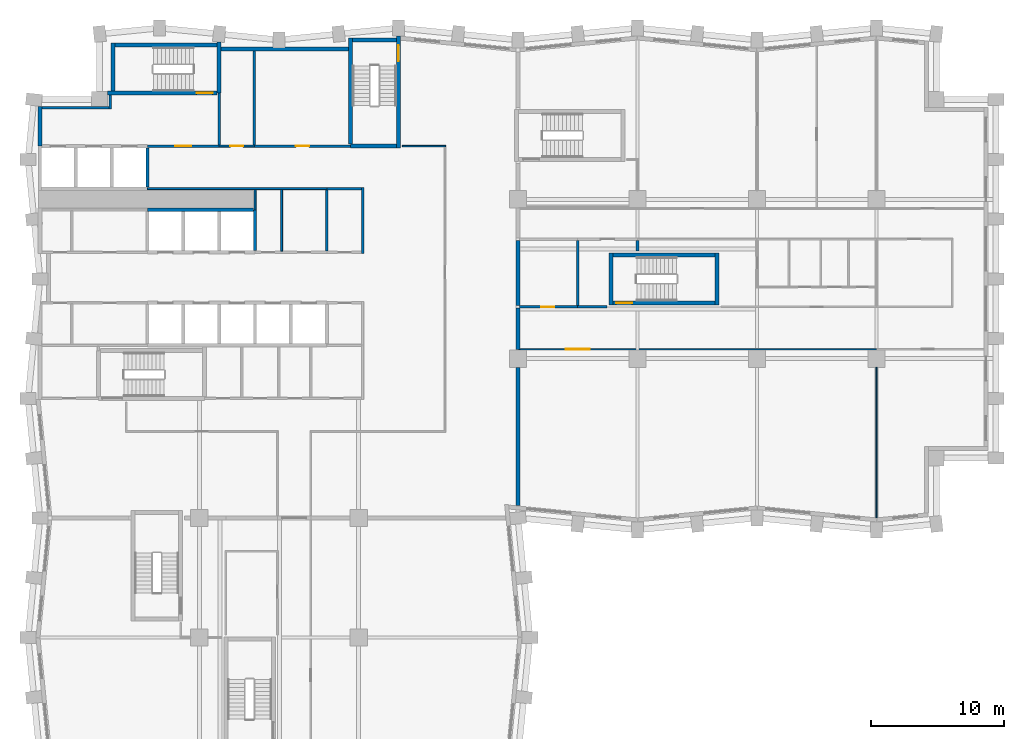
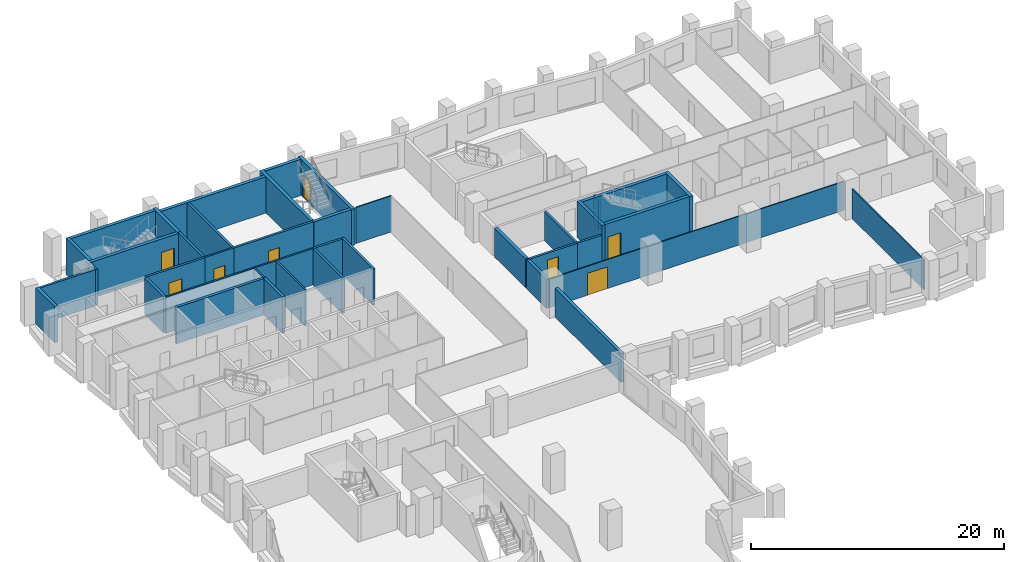
# One storey, part 6 of 11: 40 walls, 8 doors, 8 openings.
"""IFC4 building model written with IfcOpenShell, lengths in metres."""

from ifc_helpers import new_model, si_unit, direction, frame, frame_2d, origin, place, context, subcontext, project, spatial, rectangle, extrude, material, layer, layer_set, type_object, element, fill, save


model = new_model("IFC4")

# Units and contexts
model_context = context("Model", 3, precision=1e-05, world=origin(), true_north=direction((0.0, 1.0)))
body_context = subcontext(model_context, "Body", "Model", "MODEL_VIEW")
ifc_project = project(units=[si_unit("LENGTHUNIT", "METRE"), si_unit("AREAUNIT", "SQUARE_METRE"), si_unit("VOLUMEUNIT", "CUBIC_METRE"), si_unit("PLANEANGLEUNIT", "RADIAN"), si_unit("MASSUNIT", "GRAM", prefix="KILO")], contexts=[model_context])

# Site, building, storey
site_placement = place(None, origin())
site = spatial("IfcSite", under=ifc_project, at=site_placement, CompositionType="ELEMENT")
building_placement = place(site_placement, origin())
building = spatial("IfcBuilding", under=site, at=building_placement, Name="Brondeck Convention Tower", CompositionType="ELEMENT")
storey_placement = place(building_placement, frame((0.0, 0.0, 118.89990234375)))
storey = spatial("IfcBuildingStorey", under=building, at=storey_placement, Name="L28", CompositionType="ELEMENT", Elevation=118.89990234375)

# Walls
ifc_material_1 = material(Name="Concrete compartment wall C30/37", Category="concrete")
ifc_layer_1 = layer(ifc_material_1, 0.300048828125)
ifc_layer_set_1 = layer_set([ifc_layer_1], Name="Compartment wall 300")
wall_type_1 = type_object("IfcWallType", Name="Compartment wall 300", PredefinedType="PARTITIONING", material=ifc_layer_set_1)
wall_1_placement = place(storey_placement, frame((36.0, 27.924560546875, 0.0), z_axis=(0.0, 0.0, 1.0), x_axis=(0.0, 1.0, 0.0)))
element("IfcWall", 1, at=wall_1_placement, inside=storey, type_object=wall_type_1, Name="FLR-L28-W019", PredefinedType="PARTITIONING", context=body_context, shape_type="SweptSolid", body=[
    extrude(rectangle(XDim=10.42041015625, YDim=0.300048828125, at=frame_2d((5.210205078125, 0.0))), origin(), (0.0, 0.0, 1.0), 2.780029296875),
])
wall_2_placement = place(storey_placement, frame((36.0, 39.669921875, 0.0), z_axis=(0.0, 0.0, 1.0), x_axis=(0.0, 1.0, 0.0)))
element("IfcWall", 2, at=wall_2_placement, inside=storey, type_object=wall_type_1, Name="FLR-L28-W027", PredefinedType="PARTITIONING", context=body_context, shape_type="SweptSolid", body=[
    extrude(rectangle(XDim=3.130126953125, YDim=0.300048828125, at=frame_2d((1.56494140625, 0.0))), origin(), (0.0, 0.0, 1.0), 2.780029296875),
])
wall_3_placement = place(storey_placement, frame((36.0, 43.0, 0.0), z_axis=(0.0, 0.0, 1.0), x_axis=(0.0, 1.0, 0.0)))
element("IfcWall", 3, at=wall_3_placement, inside=storey, type_object=wall_type_1, Name="FLR-L28-W033", PredefinedType="PARTITIONING", context=body_context, shape_type="SweptSolid", body=[
    extrude(rectangle(XDim=4.89990234375, YDim=0.300048828125, at=frame_2d((2.449951171875, 0.0))), origin(), (0.0, 0.0, 1.0), 2.780029296875),
])
ifc_material_2 = material(Name="Concrete C70/85", Category="concrete")
ifc_layer_2 = layer(ifc_material_2, 0.199951171875)
ifc_layer_set_2 = layer_set([ifc_layer_2], Name="Core beam-seat wall 200 Concrete C70/85")
wall_type_2 = type_object("IfcWallType", Name="Core beam-seat wall 200 Concrete C70/85", PredefinedType="SHEAR", material=ifc_layer_set_2)
wall_4_placement = place(storey_placement, frame((24.300048828125, 46.89990234375, 0.0), z_axis=(0.0, 0.0, 1.0), x_axis=(0.0, 1.0, 0.0)))
element("IfcWall", 4, at=wall_4_placement, inside=storey, type_object=wall_type_2, Name="L28 core wall", PredefinedType="SHEAR", context=body_context, shape_type="SweptSolid", body=[
    extrude(rectangle(XDim=5.0, YDim=0.199951171875, at=frame_2d((2.5, 0.0))), origin(), (0.0, 0.0, 1.0), 3.5),
])
ifc_layer_3 = layer(ifc_material_2, 0.300048828125)
ifc_layer_set_3 = layer_set([ifc_layer_3], Name="Core outer wall 300 Concrete C70/85")
wall_type_3 = type_object("IfcWallType", Name="Core outer wall 300 Concrete C70/85", PredefinedType="SHEAR", material=ifc_layer_set_3)
wall_5_placement = place(storey_placement, frame((13.64990234375, 62.300048828125, 0.0), z_axis=(0.0, 0.0, 1.0), x_axis=(1.0, 0.0, 0.0)))
element("IfcWall", 5, at=wall_5_placement, inside=storey, type_object=wall_type_3, Name="L28 core wall", PredefinedType="SHEAR", context=body_context, shape_type="SweptSolid", body=[
    extrude(rectangle(XDim=9.60009765625, YDim=0.300048828125, at=frame_2d((4.800048828125, 0.0))), origin(), (0.0, 0.0, 1.0), 3.5),
])
wall_6_placement = place(storey_placement, frame((0.0, 55.0, 0.0), z_axis=(0.0, 0.0, 1.0), x_axis=(0.0, 1.0, 0.0)))
element("IfcWall", 6, at=wall_6_placement, inside=storey, type_object=wall_type_3, Name="L28 core wall", PredefinedType="SHEAR", context=body_context, shape_type="SweptSolid", body=[
    extrude(rectangle(XDim=3.0, YDim=0.300048828125, at=frame_2d((1.5, 0.0))), origin(), (0.0, 0.0, 1.0), 3.5),
])
ifc_material_3 = material(Name="Fire-rated gypsum board partition")
ifc_layer_4 = layer(ifc_material_3, 0.14990234375)
ifc_layer_set_4 = layer_set([ifc_layer_4], Name="Core partition 150 EI 60")
wall_type_4 = type_object("IfcWallType", Name="Core partition 150 EI 60", PredefinedType="PARTITIONING", material=ifc_layer_set_4)
wall_7_placement = place(storey_placement, frame((8.10009765625, 51.800048828125, 0.0), z_axis=(0.0, 0.0, 1.0), x_axis=(1.0, 0.0, 0.0)))
element("IfcWall", 7, at=wall_7_placement, inside=storey, type_object=wall_type_4, Name="L28 core wall", PredefinedType="PARTITIONING", context=body_context, shape_type="SweptSolid", body=[
    extrude(rectangle(XDim=13.5, YDim=0.14990234375, at=frame_2d((6.75, 0.0))), origin(), (0.0, 0.0, 1.0), 3.5),
])

# Wall, opening, door
wall_8_placement = place(storey_placement, frame((13.5, 55.0, 0.0), z_axis=(0.0, 0.0, 1.0), x_axis=(1.0, 0.0, 0.0)))
wall_8 = element("IfcWall", 8, at=wall_8_placement, inside=storey, type_object=wall_type_4, Name="L28 core wall", PredefinedType="PARTITIONING", context=body_context, shape_type="SweptSolid", body=[
    extrude(rectangle(XDim=2.64990234375, YDim=0.14990234375, at=frame_2d((1.324951171875, 0.0))), origin(), (0.0, 0.0, 1.0), 3.5),
])
opening_1_placement = place(wall_8_placement, frame((0.824951171875, 0.0, 0.0)))
opening_1 = element("IfcOpeningElement", 9, at=opening_1_placement, cuts=wall_8, Name="Opening C16-15", PredefinedType="OPENING", context=body_context, shape_type="SweptSolid", body=[
    extrude(rectangle(XDim=1.0, YDim=2.10009765625, at=frame_2d((0.5, 1.050048828125))), frame((0.0, 0.0849609375, 0.0), z_axis=(0.0, -1.0, 0.0), x_axis=(1.0, 0.0, 0.0)), (0.0, 0.0, 1.0), 0.169921875),
])
ifc_material_4 = material(Name="Steel fire door", Category="steel")
door_type_1 = type_object("IfcDoorType", Name="Room door 1000x2100 EI 60", OperationType="NOTDEFINED", PredefinedType="DOOR", material=ifc_material_4)
door_1_placement = place(opening_1_placement, origin())
door_1 = element("IfcDoor", 10, at=door_1_placement, inside=storey, type_object=door_type_1, Name="L28 Room door NE-1", OperationType="SINGLE_SWING_LEFT", OverallHeight=2.10009765625, OverallWidth=1.0, PredefinedType="DOOR", context=body_context, shape_type="SweptSolid", body=[
    extrude(rectangle(XDim=1.0, YDim=2.10009765625, at=frame_2d((0.5, 1.050048828125))), frame((0.0, 0.02490234375, 0.0), z_axis=(0.0, -1.0, 0.0), x_axis=(1.0, 0.0, 0.0)), (0.0, 0.0, 1.0), 0.050048828125),
])
fill(opening_1, door_1)

# Walls
wall_9_placement = place(storey_placement, frame((16.199951171875, 50.199951171875, 0.0), z_axis=(0.0, 0.0, 1.0), x_axis=(0.0, 1.0, 0.0)))
element("IfcWall", 11, at=wall_9_placement, inside=storey, type_object=wall_type_4, Name="L28 core wall", PredefinedType="PARTITIONING", context=body_context, shape_type="SweptSolid", body=[
    extrude(rectangle(XDim=1.525146484375, YDim=0.14990234375, at=frame_2d((0.7626953125, 0.0))), origin(), (0.0, 0.0, 1.0), 3.5),
])
wall_10_placement = place(storey_placement, frame((18.199951171875, 47.10009765625, 0.0), z_axis=(0.0, 0.0, 1.0), x_axis=(0.0, 1.0, 0.0)))
element("IfcWall", 12, at=wall_10_placement, inside=storey, type_object=wall_type_4, Name="L28 core wall", PredefinedType="PARTITIONING", context=body_context, shape_type="SweptSolid", body=[
    extrude(rectangle(XDim=4.625, YDim=0.14990234375, at=frame_2d((2.3125, 0.0))), origin(), (0.0, 0.0, 1.0), 3.5),
])

# Wall, opening, door
ifc_layer_5 = layer(ifc_material_3, 0.199951171875)
ifc_layer_set_5 = layer_set([ifc_layer_5], Name="Firefighting lobby wall 200 EI 120")
wall_type_5 = type_object("IfcWallType", Name="Firefighting lobby wall 200 EI 120", PredefinedType="PARTITIONING", material=ifc_layer_set_5)
wall_11_placement = place(storey_placement, frame((8.10009765625, 55.0, 0.0), z_axis=(0.0, 0.0, 1.0), x_axis=(1.0, 0.0, 0.0)))
wall_11 = element("IfcWall", 13, at=wall_11_placement, inside=storey, type_object=wall_type_5, Name="L28 core wall", PredefinedType="PARTITIONING", context=body_context, shape_type="SweptSolid", body=[
    extrude(rectangle(XDim=5.39990234375, YDim=0.199951171875, at=frame_2d((2.699951171875, 0.0))), origin(), (0.0, 0.0, 1.0), 3.5),
])
opening_2_placement = place(wall_11_placement, frame((2.10009765625, 0.0, 0.0)))
opening_2 = element("IfcOpeningElement", 14, at=opening_2_placement, cuts=wall_11, Name="Opening C16-01", PredefinedType="OPENING", context=body_context, shape_type="SweptSolid", body=[
    extrude(rectangle(XDim=1.199951171875, YDim=2.199951171875, at=frame_2d((0.60009765625, 1.10009765625))), frame((0.0, 0.10986328125, 0.0), z_axis=(0.0, -1.0, 0.0), x_axis=(1.0, 0.0, 0.0)), (0.0, 0.0, 1.0), 0.219970703125),
])
door_type_2 = type_object("IfcDoorType", Name="Firefighting lobby door 1200x2200 EI 120", OperationType="NOTDEFINED", PredefinedType="DOOR", material=ifc_material_4)
door_2_placement = place(opening_2_placement, origin())
door_2 = element("IfcDoor", 15, at=door_2_placement, inside=storey, type_object=door_type_2, Name="L28 Firefighting lobby door FFL-1", OperationType="SINGLE_SWING_RIGHT", OverallHeight=2.199951171875, OverallWidth=1.199951171875, PredefinedType="DOOR", context=body_context, shape_type="SweptSolid", body=[
    extrude(rectangle(XDim=1.199951171875, YDim=2.199951171875, at=frame_2d((0.60009765625, 1.10009765625))), frame((0.0, 0.02490234375, 0.0), z_axis=(0.0, -1.0, 0.0), x_axis=(1.0, 0.0, 0.0)), (0.0, 0.0, 1.0), 0.050048828125),
])
fill(opening_2, door_2)

# Walls
wall_12_placement = place(storey_placement, frame((0.14990234375, 57.89990234375, 0.0), z_axis=(0.0, 0.0, 1.0), x_axis=(1.0, 0.0, 0.0)))
element("IfcWall", 16, at=wall_12_placement, inside=storey, type_object=wall_type_5, Name="L28 core wall", PredefinedType="PARTITIONING", context=body_context, shape_type="SweptSolid", body=[
    extrude(rectangle(XDim=5.050048828125, YDim=0.199951171875, at=frame_2d((2.52490234375, 0.0))), origin(), (0.0, 0.0, 1.0), 3.5),
])
wall_13_placement = place(storey_placement, frame((5.300048828125, 57.800048828125, 0.0), z_axis=(0.0, 0.0, 1.0), x_axis=(0.0, 1.0, 0.0)))
element("IfcWall", 17, at=wall_13_placement, inside=storey, type_object=wall_type_5, Name="L28 core wall", PredefinedType="PARTITIONING", context=body_context, shape_type="SweptSolid", body=[
    extrude(rectangle(XDim=1.050048828125, YDim=0.199951171875, at=frame_2d((0.52490234375, 0.0))), origin(), (0.0, 0.0, 1.0), 3.5),
])
wall_14_placement = place(storey_placement, frame((13.5, 55.10009765625, 0.0), z_axis=(0.0, 0.0, 1.0), x_axis=(0.0, 1.0, 0.0)))
element("IfcWall", 18, at=wall_14_placement, inside=storey, type_object=wall_type_5, Name="L28 core wall", PredefinedType="PARTITIONING", context=body_context, shape_type="SweptSolid", body=[
    extrude(rectangle(XDim=3.89990234375, YDim=0.199951171875, at=frame_2d((1.949951171875, 0.0))), origin(), (0.0, 0.0, 1.0), 3.5),
])
ifc_layer_6 = layer(ifc_material_2, 0.25)
ifc_layer_set_6 = layer_set([ifc_layer_6], Name="Lift shaft wall 250 Concrete C70/85")
wall_type_6 = type_object("IfcWallType", Name="Lift shaft wall 250 Concrete C70/85", PredefinedType="SHEAR", material=ifc_layer_set_6)
wall_15_placement = place(storey_placement, frame((8.10009765625, 50.199951171875, 0.0), z_axis=(0.0, 0.0, 1.0), x_axis=(1.0, 0.0, 0.0)))
element("IfcWall", 19, at=wall_15_placement, inside=storey, type_object=wall_type_6, Name="L28 core wall", PredefinedType="SHEAR", context=body_context, shape_type="SweptSolid", body=[
    extrude(rectangle(XDim=7.974853515625, YDim=0.25, at=frame_2d((3.9873046875, 0.0))), origin(), (0.0, 0.0, 1.0), 3.5),
])
wall_16_placement = place(storey_placement, frame((8.10009765625, 51.925048828125, 0.0), z_axis=(0.0, 0.0, 1.0), x_axis=(0.0, 1.0, 0.0)))
element("IfcWall", 20, at=wall_16_placement, inside=storey, type_object=wall_type_6, Name="L28 core wall", PredefinedType="SHEAR", context=body_context, shape_type="SweptSolid", body=[
    extrude(rectangle(XDim=2.949951171875, YDim=0.25, at=frame_2d((1.47509765625, 0.0))), origin(), (0.0, 0.0, 1.0), 3.5),
])
wall_17_placement = place(storey_placement, frame((16.199951171875, 47.125, 0.0), z_axis=(0.0, 0.0, 1.0), x_axis=(0.0, 1.0, 0.0)))
element("IfcWall", 21, at=wall_17_placement, inside=storey, type_object=wall_type_6, Name="L28 core wall", PredefinedType="SHEAR", context=body_context, shape_type="SweptSolid", body=[
    extrude(rectangle(XDim=3.074951171875, YDim=0.25, at=frame_2d((1.53759765625, 0.0))), origin(), (0.0, 0.0, 1.0), 3.5),
])

# Wall, opening, door
ifc_material_5 = material(Name="Concrete block wall C16/20", Category="concrete")
ifc_layer_7 = layer(ifc_material_5, 0.199951171875)
ifc_layer_set_7 = layer_set([ifc_layer_7], Name="Plant room wall 200")
wall_type_7 = type_object("IfcWallType", Name="Plant room wall 200", PredefinedType="PARTITIONING", material=ifc_layer_set_7)
wall_18_placement = place(storey_placement, frame((36.10009765625, 42.89990234375, 0.0), z_axis=(0.0, 0.0, 1.0), x_axis=(1.0, 0.0, 0.0)))
wall_18 = element("IfcWall", 22, at=wall_18_placement, inside=storey, type_object=wall_type_7, Name="FLR-L28-W028", PredefinedType="PARTITIONING", context=body_context, shape_type="SweptSolid", body=[
    extrude(rectangle(XDim=4.39990234375, YDim=0.199951171875, at=frame_2d((2.199951171875, 0.0))), origin(), (0.0, 0.0, 1.0), 2.780029296875),
])
opening_3_placement = place(wall_18_placement, frame((1.64990234375, 0.0, 0.0)))
opening_3 = element("IfcOpeningElement", 23, at=opening_3_placement, cuts=wall_18, Name="Opening OF-C-002", PredefinedType="OPENING", context=body_context, shape_type="SweptSolid", body=[
    extrude(rectangle(XDim=1.0, YDim=2.10009765625, at=frame_2d((0.5, 1.050048828125))), frame((0.0, 0.10986328125, 0.0), z_axis=(0.0, -1.0, 0.0), x_axis=(1.0, 0.0, 0.0)), (0.0, 0.0, 1.0), 0.219970703125),
])
ifc_material_6 = material(Name="Steel fire door leaf", Category="steel")
door_type_3 = type_object("IfcDoorType", Name="Plant room door 1000", OperationType="NOTDEFINED", PredefinedType="DOOR", material=ifc_material_6)
door_3_placement = place(opening_3_placement, origin())
door_3 = element("IfcDoor", 24, at=door_3_placement, inside=storey, type_object=door_type_3, Name="Door OF-C-002", OperationType="SINGLE_SWING_RIGHT", OverallHeight=2.10009765625, OverallWidth=1.0, PredefinedType="DOOR", context=body_context, shape_type="SweptSolid", body=[
    extrude(rectangle(XDim=1.0, YDim=2.10009765625, at=frame_2d((0.5, 1.050048828125))), frame((0.0, 0.02490234375, 0.0), z_axis=(0.0, -1.0, 0.0), x_axis=(1.0, 0.0, 0.0)), (0.0, 0.0, 1.0), 0.050048828125),
])
fill(opening_3, door_3)

# Walls
wall_19_placement = place(storey_placement, frame((40.5, 42.89990234375, 0.0), z_axis=(0.0, 0.0, 1.0), x_axis=(1.0, 0.0, 0.0)))
element("IfcWall", 25, at=wall_19_placement, inside=storey, type_object=wall_type_7, Name="FLR-L28-W029", PredefinedType="PARTITIONING", context=body_context, shape_type="SweptSolid", body=[
    extrude(rectangle(XDim=2.199951171875, YDim=0.199951171875, at=frame_2d((1.10009765625, 0.0))), origin(), (0.0, 0.0, 1.0), 2.780029296875),
])
wall_20_placement = place(storey_placement, frame((40.5, 47.89990234375, 0.0), z_axis=(0.0, 0.0, 1.0), x_axis=(0.0, -1.0, 0.0)))
element("IfcWall", 26, at=wall_20_placement, inside=storey, type_object=wall_type_7, Name="FLR-L28-W039", PredefinedType="PARTITIONING", context=body_context, shape_type="SweptSolid", body=[
    extrude(rectangle(XDim=4.89990234375, YDim=0.199951171875, at=frame_2d((2.449951171875, 0.0))), origin(), (0.0, 0.0, 1.0), 2.780029296875),
])
wall_21_placement = place(storey_placement, frame((45.0, 47.89990234375, 0.0), z_axis=(0.0, 0.0, 1.0), x_axis=(0.0, -1.0, 0.0)))
element("IfcWall", 27, at=wall_21_placement, inside=storey, type_object=wall_type_7, Name="FLR-L28-W040", PredefinedType="PARTITIONING", context=body_context, shape_type="SweptSolid", body=[
    extrude(rectangle(XDim=0.7998046875, YDim=0.199951171875, at=frame_2d((0.39990234375, 0.0))), origin(), (0.0, 0.0, 1.0), 2.780029296875),
])
ifc_layer_8 = layer(ifc_material_3, 0.199951171875)
ifc_layer_set_8 = layer_set([ifc_layer_8], Name="Riser wall 200 EI 120")
wall_type_8 = type_object("IfcWallType", Name="Riser wall 200 EI 120", PredefinedType="PARTITIONING", material=ifc_layer_set_8)
wall_22_placement = place(storey_placement, frame((21.60009765625, 51.800048828125, 0.0), z_axis=(0.0, 0.0, 1.0), x_axis=(1.0, 0.0, 0.0)))
element("IfcWall", 28, at=wall_22_placement, inside=storey, type_object=wall_type_8, Name="L28 core wall", PredefinedType="PARTITIONING", context=body_context, shape_type="SweptSolid", body=[
    extrude(rectangle(XDim=2.599853515625, YDim=0.199951171875, at=frame_2d((1.2998046875, 0.0))), origin(), (0.0, 0.0, 1.0), 3.5),
])

# Wall, opening, door
wall_23_placement = place(storey_placement, frame((16.14990234375, 55.0, 0.0), z_axis=(0.0, 0.0, 1.0), x_axis=(1.0, 0.0, 0.0)))
wall_23 = element("IfcWall", 29, at=wall_23_placement, inside=storey, type_object=wall_type_8, Name="L28 core wall", PredefinedType="PARTITIONING", context=body_context, shape_type="SweptSolid", body=[
    extrude(rectangle(XDim=7.25, YDim=0.199951171875, at=frame_2d((3.625, 0.0))), origin(), (0.0, 0.0, 1.0), 3.5),
])
opening_4_placement = place(wall_23_placement, frame((3.125, 0.0, 0.0)))
opening_4 = element("IfcOpeningElement", 30, at=opening_4_placement, cuts=wall_23, Name="Opening C16-16", PredefinedType="OPENING", context=body_context, shape_type="SweptSolid", body=[
    extrude(rectangle(XDim=1.0, YDim=2.10009765625, at=frame_2d((0.5, 1.050048828125))), frame((0.0, 0.10986328125, 0.0), z_axis=(0.0, -1.0, 0.0), x_axis=(1.0, 0.0, 0.0)), (0.0, 0.0, 1.0), 0.219970703125),
])
door_type_4 = type_object("IfcDoorType", Name="Riser door 1000x2100 EI 120", OperationType="NOTDEFINED", PredefinedType="DOOR", material=ifc_material_4)
door_4_placement = place(opening_4_placement, origin())
door_4 = element("IfcDoor", 31, at=door_4_placement, inside=storey, type_object=door_type_4, Name="L28 Riser door NE-2", OperationType="SINGLE_SWING_RIGHT", OverallHeight=2.10009765625, OverallWidth=1.0, PredefinedType="DOOR", context=body_context, shape_type="SweptSolid", body=[
    extrude(rectangle(XDim=1.0, YDim=2.10009765625, at=frame_2d((0.5, 1.050048828125))), frame((0.0, 0.02490234375, 0.0), z_axis=(0.0, -1.0, 0.0), x_axis=(1.0, 0.0, 0.0)), (0.0, 0.0, 1.0), 0.050048828125),
])
fill(opening_4, door_4)

# Walls
wall_24_placement = place(storey_placement, frame((16.14990234375, 55.10009765625, 0.0), z_axis=(0.0, 0.0, 1.0), x_axis=(0.0, 1.0, 0.0)))
element("IfcWall", 32, at=wall_24_placement, inside=storey, type_object=wall_type_8, Name="L28 core wall", PredefinedType="PARTITIONING", context=body_context, shape_type="SweptSolid", body=[
    extrude(rectangle(XDim=7.0498046875, YDim=0.199951171875, at=frame_2d((3.52490234375, 0.0))), origin(), (0.0, 0.0, 1.0), 3.5),
])
wall_25_placement = place(storey_placement, frame((21.60009765625, 47.10009765625, 0.0), z_axis=(0.0, 0.0, 1.0), x_axis=(0.0, 1.0, 0.0)))
element("IfcWall", 33, at=wall_25_placement, inside=storey, type_object=wall_type_8, Name="L28 core wall", PredefinedType="PARTITIONING", context=body_context, shape_type="SweptSolid", body=[
    extrude(rectangle(XDim=4.599853515625, YDim=0.199951171875, at=frame_2d((2.2998046875, 0.0))), origin(), (0.0, 0.0, 1.0), 3.5),
])
ifc_material_7 = material(Name="Gypsum board partition on steel studs", Category="steel")
ifc_layer_9 = layer(ifc_material_7, 0.10009765625)
ifc_layer_set_9 = layer_set([ifc_layer_9], Name="Room partition 100")
wall_type_9 = type_object("IfcWallType", Name="Room partition 100", PredefinedType="PARTITIONING", material=ifc_layer_set_9)
wall_26_placement = place(storey_placement, frame((63.0, 38.344970703125, 0.0), z_axis=(0.0, 0.0, 1.0), x_axis=(0.0, -1.0, 0.0)))
element("IfcWall", 34, at=wall_26_placement, inside=storey, type_object=wall_type_9, Name="FLR-L28-W024", PredefinedType="PARTITIONING", context=body_context, shape_type="SweptSolid", body=[
    extrude(rectangle(XDim=11.320556640625, YDim=0.10009765625, at=frame_2d((5.66015625, 0.0))), origin(), (0.0, 0.0, 1.0), 2.880126953125),
])

# Wall, opening, door
wall_27_placement = place(storey_placement, frame((63.0, 39.699951171875, 0.0), z_axis=(0.0, 0.0, 1.0), x_axis=(-1.0, 0.0, 0.0)))
wall_27 = element("IfcWall", 35, at=wall_27_placement, inside=storey, type_object=wall_type_9, Name="FLR-L28-W025", PredefinedType="PARTITIONING", context=body_context, shape_type="SweptSolid", body=[
    extrude(rectangle(XDim=26.949951171875, YDim=0.10009765625, at=frame_2d((13.47509765625, 0.0))), origin(), (0.0, 0.0, 1.0), 2.780029296875),
])
opening_5_placement = place(wall_27_placement, frame((21.60009765625, 0.0, 0.0)))
opening_5 = element("IfcOpeningElement", 36, at=opening_5_placement, cuts=wall_27, Name="Opening OF-C-010", PredefinedType="OPENING", context=body_context, shape_type="SweptSolid", body=[
    extrude(rectangle(XDim=1.800048828125, YDim=2.10009765625, at=frame_2d((0.89990234375, 1.050048828125))), frame((0.0, 0.06005859375, 0.0), z_axis=(0.0, -1.0, 0.0), x_axis=(1.0, 0.0, 0.0)), (0.0, 0.0, 1.0), 0.1201171875),
])
ifc_material_8 = material(Name="Glazed timber double door", Category="wood")
door_type_5 = type_object("IfcDoorType", Name="Double door 1800", OperationType="DOUBLE_DOOR_SINGLE_SWING", PredefinedType="DOOR", material=ifc_material_8)
door_5_placement = place(opening_5_placement, origin())
door_5 = element("IfcDoor", 37, at=door_5_placement, inside=storey, type_object=door_type_5, Name="Door OF-C-010", OperationType="DOUBLE_DOOR_SINGLE_SWING", OverallHeight=2.10009765625, OverallWidth=1.800048828125, PredefinedType="DOOR", context=body_context, shape_type="SweptSolid", body=[
    extrude(rectangle(XDim=1.800048828125, YDim=2.10009765625, at=frame_2d((0.89990234375, 1.050048828125))), frame((0.0, 0.02490234375, 0.0), z_axis=(0.0, -1.0, 0.0), x_axis=(1.0, 0.0, 0.0)), (0.0, 0.0, 1.0), 0.050048828125),
])
fill(opening_5, door_5)

# Wall
wall_28_placement = place(storey_placement, frame((27.300048828125, 55.0, 0.0), z_axis=(0.0, 0.0, 1.0), x_axis=(1.0, 0.0, 0.0)))
element("IfcWall", 38, at=wall_28_placement, inside=storey, type_object=wall_type_9, Name="FLR-L28-W065", PredefinedType="PARTITIONING", context=body_context, shape_type="SweptSolid", body=[
    extrude(rectangle(XDim=3.25, YDim=0.10009765625, at=frame_2d((1.625, 0.0))), origin(), (0.0, 0.0, 1.0), 3.47998046875),
])

# Wall, opening, door
ifc_layer_10 = layer(ifc_material_2, 0.300048828125)
ifc_layer_set_10 = layer_set([ifc_layer_10], Name="Stair enclosure wall 300 Concrete C70/85")
wall_type_10 = type_object("IfcWallType", Name="Stair enclosure wall 300 Concrete C70/85", PredefinedType="SHEAR", material=ifc_layer_set_10)
wall_29_placement = place(storey_placement, frame((43.14990234375, 43.199951171875, 0.0), z_axis=(0.0, 0.0, 1.0), x_axis=(1.0, 0.0, 0.0)))
wall_29 = element("IfcWall", 39, at=wall_29_placement, inside=storey, type_object=wall_type_10, Name="L28 core wall", PredefinedType="SHEAR", context=body_context, shape_type="SweptSolid", body=[
    extrude(rectangle(XDim=7.7001953125, YDim=0.300048828125, at=frame_2d((3.85009765625, 0.0))), origin(), (0.0, 0.0, 1.0), 3.5),
])
opening_6_placement = place(wall_29_placement, frame((0.25, 0.0, 0.0)))
opening_6 = element("IfcOpeningElement", 40, at=opening_6_placement, cuts=wall_29, Name="Opening C16-21", PredefinedType="OPENING", context=body_context, shape_type="SweptSolid", body=[
    extrude(rectangle(XDim=1.199951171875, YDim=2.199951171875, at=frame_2d((0.60009765625, 1.10009765625))), frame((0.0, 0.159912109375, 0.0), z_axis=(0.0, -1.0, 0.0), x_axis=(1.0, 0.0, 0.0)), (0.0, 0.0, 1.0), 0.320068359375),
])
door_type_6 = type_object("IfcDoorType", Name="Stair door 1200x2200 EI 90", OperationType="NOTDEFINED", PredefinedType="DOOR", material=ifc_material_4)
door_6_placement = place(opening_6_placement, origin())
door_6 = element("IfcDoor", 41, at=door_6_placement, inside=storey, type_object=door_type_6, Name="L28 Stair door ST-AF", OperationType="SINGLE_SWING_RIGHT", OverallHeight=2.199951171875, OverallWidth=1.199951171875, PredefinedType="DOOR", context=body_context, shape_type="SweptSolid", body=[
    extrude(rectangle(XDim=1.199951171875, YDim=2.199951171875, at=frame_2d((0.60009765625, 1.10009765625))), frame((0.0, 0.02490234375, 0.0), z_axis=(0.0, -1.0, 0.0), x_axis=(1.0, 0.0, 0.0)), (0.0, 0.0, 1.0), 0.050048828125),
])
fill(opening_6, door_6)

# Walls
wall_30_placement = place(storey_placement, frame((43.14990234375, 46.800048828125, 0.0), z_axis=(0.0, 0.0, 1.0), x_axis=(1.0, 0.0, 0.0)))
element("IfcWall", 42, at=wall_30_placement, inside=storey, type_object=wall_type_10, Name="L28 core wall", PredefinedType="SHEAR", context=body_context, shape_type="SweptSolid", body=[
    extrude(rectangle(XDim=7.7001953125, YDim=0.300048828125, at=frame_2d((3.85009765625, 0.0))), origin(), (0.0, 0.0, 1.0), 3.5),
])
wall_31_placement = place(storey_placement, frame((23.39990234375, 55.0, 0.0), z_axis=(0.0, 0.0, 1.0), x_axis=(1.0, 0.0, 0.0)))
element("IfcWall", 43, at=wall_31_placement, inside=storey, type_object=wall_type_10, Name="L28 core wall", PredefinedType="SHEAR", context=body_context, shape_type="SweptSolid", body=[
    extrude(rectangle(XDim=3.4501953125, YDim=0.300048828125, at=frame_2d((1.72509765625, 0.0))), origin(), (0.0, 0.0, 1.0), 3.5),
])

# Wall, opening, door
wall_32_placement = place(storey_placement, frame((5.10009765625, 59.0, 0.0), z_axis=(0.0, 0.0, 1.0), x_axis=(1.0, 0.0, 0.0)))
wall_32 = element("IfcWall", 44, at=wall_32_placement, inside=storey, type_object=wall_type_10, Name="L28 core wall", PredefinedType="SHEAR", context=body_context, shape_type="SweptSolid", body=[
    extrude(rectangle(XDim=8.25, YDim=0.300048828125, at=frame_2d((4.125, 0.0))), origin(), (0.0, 0.0, 1.0), 3.5),
])
opening_7_placement = place(wall_32_placement, frame((6.699951171875, 0.0, 0.0)))
opening_7 = element("IfcOpeningElement", 45, at=opening_7_placement, cuts=wall_32, Name="Opening C16-19", PredefinedType="OPENING", context=body_context, shape_type="SweptSolid", body=[
    extrude(rectangle(XDim=1.199951171875, YDim=2.199951171875, at=frame_2d((0.60009765625, 1.10009765625))), frame((0.0, 0.159912109375, 0.0), z_axis=(0.0, -1.0, 0.0), x_axis=(1.0, 0.0, 0.0)), (0.0, 0.0, 1.0), 0.320068359375),
])
door_type_7 = type_object("IfcDoorType", Name="Stair door 1200x2200 EI 120", OperationType="NOTDEFINED", PredefinedType="DOOR", material=ifc_material_4)
door_7_placement = place(opening_7_placement, origin())
door_7 = element("IfcDoor", 46, at=door_7_placement, inside=storey, type_object=door_type_7, Name="L28 Stair door ST-3", OperationType="SINGLE_SWING_RIGHT", OverallHeight=2.199951171875, OverallWidth=1.199951171875, PredefinedType="DOOR", context=body_context, shape_type="SweptSolid", body=[
    extrude(rectangle(XDim=1.199951171875, YDim=2.199951171875, at=frame_2d((0.60009765625, 1.10009765625))), frame((0.0, 0.02490234375, 0.0), z_axis=(0.0, -1.0, 0.0), x_axis=(1.0, 0.0, 0.0)), (0.0, 0.0, 1.0), 0.050048828125),
])
fill(opening_7, door_7)

# Walls
wall_33_placement = place(storey_placement, frame((5.64990234375, 62.60009765625, 0.0), z_axis=(0.0, 0.0, 1.0), x_axis=(1.0, 0.0, 0.0)))
element("IfcWall", 47, at=wall_33_placement, inside=storey, type_object=wall_type_10, Name="L28 core wall", PredefinedType="SHEAR", context=body_context, shape_type="SweptSolid", body=[
    extrude(rectangle(XDim=7.7001953125, YDim=0.300048828125, at=frame_2d((3.85009765625, 0.0))), origin(), (0.0, 0.0, 1.0), 3.5),
])
wall_34_placement = place(storey_placement, frame((23.550048828125, 63.0, 0.0), z_axis=(0.0, 0.0, 1.0), x_axis=(1.0, 0.0, 0.0)))
element("IfcWall", 48, at=wall_34_placement, inside=storey, type_object=wall_type_10, Name="L28 core wall", PredefinedType="SHEAR", context=body_context, shape_type="SweptSolid", body=[
    extrude(rectangle(XDim=3.300048828125, YDim=0.300048828125, at=frame_2d((1.64990234375, 0.0))), origin(), (0.0, 0.0, 1.0), 3.5),
])
wall_35_placement = place(storey_placement, frame((5.5, 59.14990234375, 0.0), z_axis=(0.0, 0.0, 1.0), x_axis=(0.0, 1.0, 0.0)))
element("IfcWall", 49, at=wall_35_placement, inside=storey, type_object=wall_type_10, Name="L28 core wall", PredefinedType="SHEAR", context=body_context, shape_type="SweptSolid", body=[
    extrude(rectangle(XDim=3.60009765625, YDim=0.300048828125, at=frame_2d((1.800048828125, 0.0))), origin(), (0.0, 0.0, 1.0), 3.5),
])
wall_36_placement = place(storey_placement, frame((13.5, 59.0, 0.0), z_axis=(0.0, 0.0, 1.0), x_axis=(0.0, 1.0, 0.0)))
element("IfcWall", 50, at=wall_36_placement, inside=storey, type_object=wall_type_10, Name="L28 core wall", PredefinedType="SHEAR", context=body_context, shape_type="SweptSolid", body=[
    extrude(rectangle(XDim=3.846923828125, YDim=0.300048828125, at=frame_2d((1.92333984375, 0.0))), origin(), (0.0, 0.0, 1.0), 3.5),
])
wall_37_placement = place(storey_placement, frame((23.39990234375, 55.14990234375, 0.0), z_axis=(0.0, 0.0, 1.0), x_axis=(0.0, 1.0, 0.0)))
element("IfcWall", 51, at=wall_37_placement, inside=storey, type_object=wall_type_10, Name="L28 core wall", PredefinedType="SHEAR", context=body_context, shape_type="SweptSolid", body=[
    extrude(rectangle(XDim=8.0, YDim=0.300048828125, at=frame_2d((4.0, 0.0))), origin(), (0.0, 0.0, 1.0), 3.5),
])

# Wall, opening, door
wall_38_placement = place(storey_placement, frame((27.0, 54.85009765625, 0.0), z_axis=(0.0, 0.0, 1.0), x_axis=(0.0, 1.0, 0.0)))
wall_38 = element("IfcWall", 52, at=wall_38_placement, inside=storey, type_object=wall_type_10, Name="L28 core wall", PredefinedType="SHEAR", context=body_context, shape_type="SweptSolid", body=[
    extrude(rectangle(XDim=8.449951171875, YDim=0.300048828125, at=frame_2d((4.22509765625, 0.0))), origin(), (0.0, 0.0, 1.0), 3.5),
])
opening_8_placement = place(wall_38_placement, frame((6.550048828125, 0.0, 0.0)))
opening_8 = element("IfcOpeningElement", 53, at=opening_8_placement, cuts=wall_38, Name="Opening C16-18", PredefinedType="OPENING", context=body_context, shape_type="SweptSolid", body=[
    extrude(rectangle(XDim=1.199951171875, YDim=2.199951171875, at=frame_2d((0.60009765625, 1.10009765625))), frame((0.0, 0.159912109375, 0.0), z_axis=(0.0, -1.0, 0.0), x_axis=(1.0, 0.0, 0.0)), (0.0, 0.0, 1.0), 0.320068359375),
])
door_8_placement = place(opening_8_placement, origin())
door_8 = element("IfcDoor", 54, at=door_8_placement, inside=storey, type_object=door_type_6, Name="L28 Stair door ST-2", OperationType="SINGLE_SWING_LEFT", OverallHeight=2.199951171875, OverallWidth=1.199951171875, PredefinedType="DOOR", context=body_context, shape_type="SweptSolid", body=[
    extrude(rectangle(XDim=1.199951171875, YDim=2.199951171875, at=frame_2d((0.60009765625, 1.10009765625))), frame((0.0, 0.02490234375, 0.0), z_axis=(0.0, -1.0, 0.0), x_axis=(1.0, 0.0, 0.0)), (0.0, 0.0, 1.0), 0.050048828125),
])
fill(opening_8, door_8)

# Walls
for number, where, z_axis, x_axis, name in (
    (55, (43.0, 43.050048828125, 0.0), (0.0, 0.0, 1.0), (0.0, 1.0, 0.0), "L28 core wall"),
    (56, (51.0, 43.050048828125, 0.0), (0.0, 0.0, 1.0), (0.0, 1.0, 0.0), "L28 core wall"),
):
    element("IfcWall", number, at=place(storey_placement, frame(where, z_axis=z_axis, x_axis=x_axis)), inside=storey, type_object=wall_type_10, Name=name, PredefinedType="SHEAR", context=body_context, shape_type="SweptSolid", body=[
        extrude(rectangle(XDim=3.89990234375, YDim=0.300048828125, at=frame_2d((1.949951171875, 0.0))), origin(), (0.0, 0.0, 1.0), 3.5),
    ])

save(model, "model.ifc")
